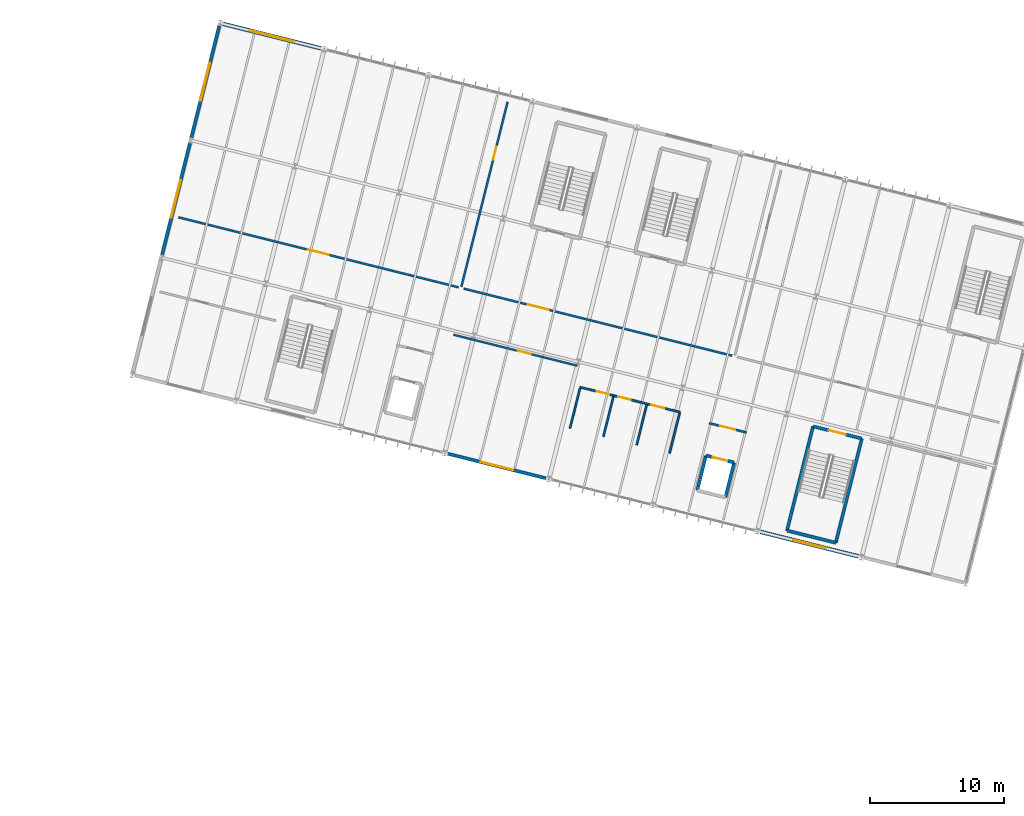
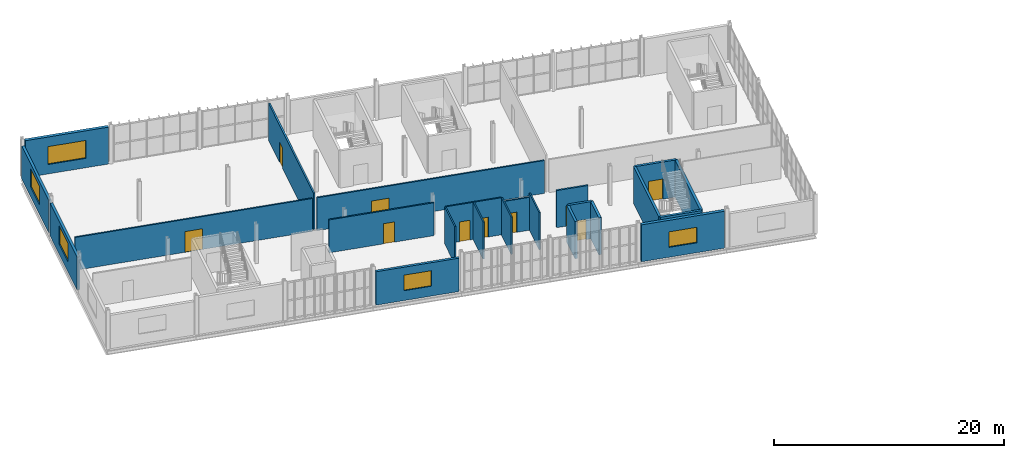
# One storey, part 46 of 61: 24 walls, 10 doors, 5 windows, 15 openings.
"""IFC4 building model written with IfcOpenShell, lengths in metres."""

from ifc_helpers import new_model, si_unit, derived_unit, direction, frame, frame_2d, origin, place, context, subcontext, project, spatial, rectangle, extrude, material, layer, layer_set, type_object, element, fill, save


model = new_model("IFC4")

# Units and contexts
model_context = context("Model", 3, precision=1e-05, world=origin(), true_north=direction((0.0, 1.0)))
body_context = subcontext(model_context, "Body", "Model", "MODEL_VIEW")
ifc_project = project(units=[si_unit("LENGTHUNIT", "METRE"), si_unit("AREAUNIT", "SQUARE_METRE"), si_unit("VOLUMEUNIT", "CUBIC_METRE"), si_unit("PLANEANGLEUNIT", "RADIAN"), si_unit("MASSUNIT", "GRAM", prefix="KILO"), si_unit("THERMODYNAMICTEMPERATUREUNIT", "KELVIN"), si_unit("TIMEUNIT", "SECOND"), derived_unit("THERMALTRANSMITTANCEUNIT", [(si_unit("MASSUNIT", "GRAM", prefix="KILO"), 1), (si_unit("THERMODYNAMICTEMPERATUREUNIT", "KELVIN"), -1), (si_unit("TIMEUNIT", "SECOND"), -3)])], contexts=[model_context])

# Site, building, storey
site_placement = place(None, origin())
site = spatial("IfcSite", under=ifc_project, at=site_placement, CompositionType="ELEMENT")
building_placement = place(site_placement, origin())
building = spatial("IfcBuilding", under=site, at=building_placement, Name="Cambertide Market Hall", CompositionType="ELEMENT")
storey_placement = place(building_placement, frame((0.0, 0.0, 9.89990234375)))
storey = spatial("IfcBuildingStorey", under=building, at=storey_placement, Name="L03", CompositionType="ELEMENT", Elevation=9.89990234375)

# Wall, opening, door
ifc_material_1 = material(Name="Autoclaved Aerated Concrete Blockwork M7.5", Category="masonry")
ifc_layer_1 = layer(ifc_material_1, 0.14990234375, Name="Culinary Classroom Acoustic Partition 150")
ifc_layer_set_1 = layer_set([ifc_layer_1], Name="Autoclaved Aerated Concrete Blockwork M7.5")
wall_type_1 = type_object("IfcWallType", Name="Culinary Classroom Acoustic Partition 150", PredefinedType="PARTITIONING", material=ifc_layer_set_1)
wall_1_placement = place(storey_placement, frame((111.448974609375, 111.73388671875, 0.0), z_axis=(0.0, 0.0, 1.0), x_axis=(0.970141164196, -0.242540968772, 0.0)))
wall_1 = element("IfcWall", 1, at=wall_1_placement, inside=storey, type_object=wall_type_1, Name="Level 3 Interior Wall IW-L03-V4C-1", PredefinedType="PARTITIONING", context=body_context, shape_type="SweptSolid", body=[
    extrude(rectangle(XDim=21.499755859375, YDim=0.14990234375, at=frame_2d((10.75, 0.0))), origin(), (0.0, 0.0, 1.0), 3.4951171875),
])
opening_1_placement = place(wall_1_placement, frame((9.949951171875, 0.0, 0.0)))
opening_1 = element("IfcOpeningElement", 2, at=opening_1_placement, cuts=wall_1, Name="Opening ID-01", PredefinedType="OPENING", context=body_context, shape_type="SweptSolid", body=[
    extrude(rectangle(XDim=1.60009765625, YDim=2.199951171875, at=frame_2d((0.800048828125, 1.10009765625))), frame((0.0, 0.0849609375, 0.0), z_axis=(0.0, -1.0, 0.0), x_axis=(1.0, 0.0, 0.0)), (0.0, 0.0, 1.0), 0.169921875),
])
ifc_material_2 = material(Name="Champagne Marine Anodized Aluminium 6063-T6 AA25", Category="aluminium")
door_type_1 = type_object("IfcDoorType", Name="Classroom & Hall Double Door 1600x2200", OperationType="DOUBLE_DOOR_SINGLE_SWING", PredefinedType="DOOR", material=ifc_material_2)
door_1_placement = place(opening_1_placement, origin())
door_1 = element("IfcDoor", 3, at=door_1_placement, inside=storey, type_object=door_type_1, Name="Level 3 Door IW-L03-V4C-1-DR1", OperationType="DOUBLE_DOOR_SINGLE_SWING", OverallHeight=2.199951171875, OverallWidth=1.60009765625, PredefinedType="DOOR", context=body_context, shape_type="SweptSolid", body=[
    extrude(rectangle(XDim=1.60009765625, YDim=2.199951171875, at=frame_2d((0.800048828125, 1.10009765625))), frame((0.0, 0.02490234375, 0.0), z_axis=(0.0, -1.0, 0.0), x_axis=(1.0, 0.0, 0.0)), (0.0, 0.0, 1.0), 0.050048828125),
])
fill(opening_1, door_1)

wall_2_placement = place(storey_placement, frame((132.695068359375, 106.42236328125, 0.0), z_axis=(0.0, 0.0, 1.0), x_axis=(0.970141105834, -0.242541202215, 0.0)))
wall_2 = element("IfcWall", 4, at=wall_2_placement, inside=storey, type_object=wall_type_1, Name="Level 3 Interior Wall IW-L03-V4C-2", PredefinedType="PARTITIONING", context=body_context, shape_type="SweptSolid", body=[
    extrude(rectangle(XDim=20.599853515625, YDim=0.14990234375, at=frame_2d((10.2998046875, 0.0))), origin(), (0.0, 0.0, 1.0), 3.4951171875),
])
opening_2_placement = place(wall_2_placement, frame((4.93994140625, 0.0, 0.0)))
opening_2 = element("IfcOpeningElement", 5, at=opening_2_placement, cuts=wall_2, Name="Opening ID-01", PredefinedType="OPENING", context=body_context, shape_type="SweptSolid", body=[
    extrude(rectangle(XDim=1.60009765625, YDim=2.199951171875, at=frame_2d((0.800048828125, 1.10009765625))), frame((0.0, 0.0849609375, 0.0), z_axis=(0.0, -1.0, 0.0), x_axis=(1.0, 0.0, 0.0)), (0.0, 0.0, 1.0), 0.169921875),
])
door_2_placement = place(opening_2_placement, origin())
door_2 = element("IfcDoor", 6, at=door_2_placement, inside=storey, type_object=door_type_1, Name="Level 3 Door IW-L03-V4C-2-DR1", OperationType="DOUBLE_DOOR_SINGLE_SWING", OverallHeight=2.199951171875, OverallWidth=1.60009765625, PredefinedType="DOOR", context=body_context, shape_type="SweptSolid", body=[
    extrude(rectangle(XDim=1.60009765625, YDim=2.199951171875, at=frame_2d((0.800048828125, 1.10009765625))), frame((0.0, 0.02490234375, 0.0), z_axis=(0.0, -1.0, 0.0), x_axis=(1.0, 0.0, 0.0)), (0.0, 0.0, 1.0), 0.050048828125),
])
fill(opening_2, door_2)

wall_3_placement = place(storey_placement, frame((132.520263671875, 106.548583984375, 0.0), z_axis=(0.0, 0.0, 1.0), x_axis=(0.24254371592, 0.970140477388, 0.0)))
wall_3 = element("IfcWall", 7, at=wall_3_placement, inside=storey, type_object=wall_type_1, Name="Level 3 Interior Wall IW-L03-V4DIV-22", PredefinedType="PARTITIONING", context=body_context, shape_type="SweptSolid", body=[
    extrude(rectangle(XDim=14.199951171875, YDim=0.14990234375, at=frame_2d((7.10009765625, 0.0))), origin(), (0.0, 0.0, 1.0), 3.940185546875),
])
opening_3_placement = place(wall_3_placement, frame((9.76806640625, 0.0, 0.0)))
opening_3 = element("IfcOpeningElement", 8, at=opening_3_placement, cuts=wall_3, Name="Opening ID-03", PredefinedType="OPENING", context=body_context, shape_type="SweptSolid", body=[
    extrude(rectangle(XDim=1.0, YDim=2.14990234375, at=frame_2d((0.5, 1.074951171875))), frame((0.0, 0.0849609375, 0.0), z_axis=(0.0, -1.0, 0.0), x_axis=(1.0, 0.0, 0.0)), (0.0, 0.0, 1.0), 0.169921875),
])
ifc_material_3 = material(Name="Champagne Marine Anodized Aluminium 6063-T6 AA25", Category="aluminium")
door_type_2 = type_object("IfcDoorType", Name="Accessible Room Single Door 1000x2150", OperationType="NOTDEFINED", PredefinedType="DOOR", material=ifc_material_3)
door_3_placement = place(opening_3_placement, origin())
door_3 = element("IfcDoor", 9, at=door_3_placement, inside=storey, type_object=door_type_2, Name="Level 3 Door IW-L03-V4DIV-22-DR1", OperationType="SINGLE_SWING_LEFT", OverallHeight=2.14990234375, OverallWidth=1.0, PredefinedType="DOOR", context=body_context, shape_type="SweptSolid", body=[
    extrude(rectangle(XDim=1.0, YDim=2.14990234375, at=frame_2d((0.5, 1.074951171875))), frame((0.0, 0.02490234375, 0.0), z_axis=(0.0, -1.0, 0.0), x_axis=(1.0, 0.0, 0.0)), (0.0, 0.0, 1.0), 0.050048828125),
])
fill(opening_3, door_3)

wall_4_placement = place(storey_placement, frame((131.938232421875, 102.983154296875, 0.0), z_axis=(0.0, 0.0, 1.0), x_axis=(0.970145523508, -0.242523531267, 0.0)))
wall_4 = element("IfcWall", 10, at=wall_4_placement, inside=storey, type_object=wall_type_1, Name="Level 3 Interior Wall IW-L03-V4S1", PredefinedType="PARTITIONING", context=body_context, shape_type="SweptSolid", body=[
    extrude(rectangle(XDim=9.5, YDim=0.14990234375, at=frame_2d((4.75, 0.0))), origin(), (0.0, 0.0, 1.0), 3.4951171875),
])
opening_4_placement = place(wall_4_placement, frame((4.929931640625, 0.0, 0.0)))
opening_4 = element("IfcOpeningElement", 11, at=opening_4_placement, cuts=wall_4, Name="Opening ID-03", PredefinedType="OPENING", context=body_context, shape_type="SweptSolid", body=[
    extrude(rectangle(XDim=1.0, YDim=2.14990234375, at=frame_2d((0.5, 1.074951171875))), frame((0.0, 0.0849609375, 0.0), z_axis=(0.0, -1.0, 0.0), x_axis=(1.0, 0.0, 0.0)), (0.0, 0.0, 1.0), 0.169921875),
])
door_4_placement = place(opening_4_placement, origin())
door_4 = element("IfcDoor", 12, at=door_4_placement, inside=storey, type_object=door_type_2, Name="Level 3 Door IW-L03-V4S1-DR1", OperationType="SINGLE_SWING_LEFT", OverallHeight=2.14990234375, OverallWidth=1.0, PredefinedType="DOOR", context=body_context, shape_type="SweptSolid", body=[
    extrude(rectangle(XDim=1.0, YDim=2.14990234375, at=frame_2d((0.5, 1.074951171875))), frame((0.0, 0.02490234375, 0.0), z_axis=(0.0, -1.0, 0.0), x_axis=(1.0, 0.0, 0.0)), (0.0, 0.0, 1.0), 0.050048828125),
])
fill(opening_4, door_4)

# Wall, opening, window
ifc_material_4 = material(Name="Autoclaved Aerated Concrete Blockwork M7.5", Category="masonry")
ifc_layer_2 = layer(ifc_material_4, 0.25, Name="Insulated AAC Exterior Infill Wall 250")
ifc_layer_set_2 = layer_set([ifc_layer_2], Name="Autoclaved Aerated Concrete Blockwork M7.5")
wall_type_2 = type_object("IfcWallType", Name="Insulated AAC Exterior Infill Wall 250", PredefinedType="SOLIDWALL", material=ifc_layer_set_2)
wall_5_placement = place(storey_placement, frame((138.811767578125, 92.297119140625, 0.0), z_axis=(0.0, 0.0, 1.0), x_axis=(-0.970146319544, 0.242520346931, 0.0)))
wall_5 = element("IfcWall", 13, at=wall_5_placement, inside=storey, type_object=wall_type_2, Name="Level 3 Exterior Wall EW-L03-V4S-4", PredefinedType="SOLIDWALL", context=body_context, shape_type="SweptSolid", body=[
    extrude(rectangle(XDim=7.52001953125, YDim=0.25, at=frame_2d((3.760009765625, 0.0))), origin(), (0.0, 0.0, 1.0), 3.545166015625),
])
opening_5_placement = place(wall_5_placement, frame((2.510009765625, 0.0, 1.050048828125)))
opening_5 = element("IfcOpeningElement", 14, at=opening_5_placement, cuts=wall_5, Name="Opening WN-09", PredefinedType="OPENING", context=body_context, shape_type="SweptSolid", body=[
    extrude(rectangle(XDim=2.5, YDim=1.64990234375, at=frame_2d((1.25, 0.824951171875))), frame((0.0, 0.135009765625, 0.0), z_axis=(0.0, -1.0, 0.0), x_axis=(1.0, 0.0, 0.0)), (0.0, 0.0, 1.0), 0.27001953125),
])
ifc_material_5 = material(Name="Low-E Laminated Insulated Glass", Category="glass")
window_type_1 = type_object("IfcWindowType", Name="Market Admin Office Window 2500x1650", PartitioningType="SINGLE_PANEL", PredefinedType="WINDOW", material=ifc_material_5)
window_1_placement = place(opening_5_placement, origin())
window_1 = element("IfcWindow", 15, at=window_1_placement, inside=storey, type_object=window_type_1, Name="Level 3 Window EW-L03-V4S-4-WN", OverallHeight=1.64990234375, OverallWidth=2.5, PartitioningType="SINGLE_PANEL", PredefinedType="WINDOW", context=body_context, shape_type="SweptSolid", body=[
    extrude(rectangle(XDim=2.5, YDim=1.64990234375, at=frame_2d((1.25, 0.824951171875))), frame((0.0, 0.030029296875, 0.0), z_axis=(0.0, -1.0, 0.0), x_axis=(1.0, 0.0, 0.0)), (0.0, 0.0, 1.0), 0.06005859375),
])
fill(opening_5, window_1)

wall_6_placement = place(storey_placement, frame((110.240966796875, 108.964111328125, 0.0), z_axis=(0.0, 0.0, 1.0), x_axis=(0.242535625036, 0.970142500145, 0.0)))
wall_6 = element("IfcWall", 16, at=wall_6_placement, inside=storey, type_object=wall_type_2, Name="Level 3 Exterior Wall EW-L03-V4W-2", PredefinedType="SOLIDWALL", context=body_context, shape_type="SweptSolid", body=[
    extrude(rectangle(XDim=8.52001953125, YDim=0.25, at=frame_2d((4.260009765625, 0.0))), origin(), (0.0, 0.0, 1.0), 3.4951171875),
])
opening_6_placement = place(wall_6_placement, frame((2.81005859375, 0.0, 1.050048828125)))
opening_6 = element("IfcOpeningElement", 17, at=opening_6_placement, cuts=wall_6, Name="Opening WN-07", PredefinedType="OPENING", context=body_context, shape_type="SweptSolid", body=[
    extrude(rectangle(XDim=2.89990234375, YDim=1.949951171875, at=frame_2d((1.449951171875, 0.97509765625))), frame((0.0, 0.135009765625, 0.0), z_axis=(0.0, -1.0, 0.0), x_axis=(1.0, 0.0, 0.0)), (0.0, 0.0, 1.0), 0.27001953125),
])
ifc_material_6 = material(Name="Low-E Laminated Insulated Glass", Category="glass")
window_type_2 = type_object("IfcWindowType", Name="Spice Hall Punched Window 2900x1950", PartitioningType="SINGLE_PANEL", PredefinedType="WINDOW", material=ifc_material_6)
window_2_placement = place(opening_6_placement, origin())
window_2 = element("IfcWindow", 18, at=window_2_placement, inside=storey, type_object=window_type_2, Name="Level 3 Window EW-L03-V4W-2-WN", OverallHeight=1.949951171875, OverallWidth=2.89990234375, PartitioningType="SINGLE_PANEL", PredefinedType="WINDOW", context=body_context, shape_type="SweptSolid", body=[
    extrude(rectangle(XDim=2.89990234375, YDim=1.949951171875, at=frame_2d((1.449951171875, 0.97509765625))), frame((0.0, 0.030029296875, 0.0), z_axis=(0.0, -1.0, 0.0), x_axis=(1.0, 0.0, 0.0)), (0.0, 0.0, 1.0), 0.06005859375),
])
fill(opening_6, window_2)

wall_7_placement = place(storey_placement, frame((112.423828125, 117.6953125, 0.0), z_axis=(0.0, 0.0, 1.0), x_axis=(0.242535625036, 0.970142500145, 0.0)))
wall_7 = element("IfcWall", 19, at=wall_7_placement, inside=storey, type_object=wall_type_2, Name="Level 3 Exterior Wall EW-L03-V4W-3", PredefinedType="SOLIDWALL", context=body_context, shape_type="SweptSolid", body=[
    extrude(rectangle(XDim=8.52001953125, YDim=0.25, at=frame_2d((4.260009765625, 0.0))), origin(), (0.0, 0.0, 1.0), 3.4951171875),
])
opening_7_placement = place(wall_7_placement, frame((2.81005859375, 0.0, 1.050048828125)))
opening_7 = element("IfcOpeningElement", 20, at=opening_7_placement, cuts=wall_7, Name="Opening WN-07", PredefinedType="OPENING", context=body_context, shape_type="SweptSolid", body=[
    extrude(rectangle(XDim=2.89990234375, YDim=1.949951171875, at=frame_2d((1.449951171875, 0.97509765625))), frame((0.0, 0.135009765625, 0.0), z_axis=(0.0, -1.0, 0.0), x_axis=(1.0, 0.0, 0.0)), (0.0, 0.0, 1.0), 0.27001953125),
])
window_3_placement = place(opening_7_placement, origin())
window_3 = element("IfcWindow", 21, at=window_3_placement, inside=storey, type_object=window_type_2, Name="Level 3 Window EW-L03-V4W-3-WN", OverallHeight=1.949951171875, OverallWidth=2.89990234375, PartitioningType="SINGLE_PANEL", PredefinedType="WINDOW", context=body_context, shape_type="SweptSolid", body=[
    extrude(rectangle(XDim=2.89990234375, YDim=1.949951171875, at=frame_2d((1.449951171875, 0.97509765625))), frame((0.0, 0.030029296875, 0.0), z_axis=(0.0, -1.0, 0.0), x_axis=(1.0, 0.0, 0.0)), (0.0, 0.0, 1.0), 0.06005859375),
])
fill(opening_7, window_3)

# Wall, opening, door
ifc_material_7 = material(Name="Autoclaved Aerated Concrete Blockwork M7.5", Category="masonry")
ifc_layer_3 = layer(ifc_material_7, 0.169921875, Name="Lift Lobby Fire Partition 170")
ifc_layer_set_3 = layer_set([ifc_layer_3], Name="Autoclaved Aerated Concrete Blockwork M7.5")
wall_type_3 = type_object("IfcWallType", Name="Lift Lobby Fire Partition 170", PredefinedType="PARTITIONING", material=ifc_layer_set_3)
wall_8_placement = place(storey_placement, frame((150.979736328125, 96.398193359375, 0.0), z_axis=(0.0, 0.0, 1.0), x_axis=(0.970147521275, -0.242515539634, 0.0)))
wall_8 = element("IfcWall", 22, at=wall_8_placement, inside=storey, type_object=wall_type_3, Name="Level 3 Interior Wall LLW-LP-04-L03", PredefinedType="PARTITIONING", context=body_context, shape_type="SweptSolid", body=[
    extrude(rectangle(XDim=2.860107421875, YDim=0.169921875, at=frame_2d((1.43017578125, 0.0))), origin(), (0.0, 0.0, 1.0), 3.940185546875),
])
opening_8_placement = place(wall_8_placement, frame((0.85498046875, 0.0, 0.0)))
opening_8 = element("IfcOpeningElement", 23, at=opening_8_placement, cuts=wall_8, Name="Opening KD-02", PredefinedType="OPENING", context=body_context, shape_type="SweptSolid", body=[
    extrude(rectangle(XDim=1.14990234375, YDim=2.14990234375, at=frame_2d((0.574951171875, 1.074951171875))), frame((0.0, 0.094970703125, 0.0), z_axis=(0.0, -1.0, 0.0), x_axis=(1.0, 0.0, 0.0)), (0.0, 0.0, 1.0), 0.18994140625),
])
ifc_material_8 = material(Name="Stainless Steel Grade 316", Category="metal")
door_type_3 = type_object("IfcDoorType", Name="Lift Lobby Smoke-Stop Door 1150x2150", OperationType="NOTDEFINED", PredefinedType="DOOR", material=ifc_material_8)
door_5_placement = place(opening_8_placement, origin())
door_5 = element("IfcDoor", 24, at=door_5_placement, inside=storey, type_object=door_type_3, Name="Level 3 Door LLW-LP-04-L03-DR1", OperationType="SINGLE_SWING_LEFT", OverallHeight=2.14990234375, OverallWidth=1.14990234375, PredefinedType="DOOR", context=body_context, shape_type="SweptSolid", body=[
    extrude(rectangle(XDim=1.14990234375, YDim=2.14990234375, at=frame_2d((0.574951171875, 1.074951171875))), frame((0.0, 0.02490234375, 0.0), z_axis=(0.0, -1.0, 0.0), x_axis=(1.0, 0.0, 0.0)), (0.0, 0.0, 1.0), 0.050048828125),
])
fill(opening_8, door_5)

ifc_material_9 = material(Name="Autoclaved Aerated Concrete Blockwork M7.5", Category="masonry")
ifc_layer_4 = layer(ifc_material_9, 0.139892578125, Name="Sanitary & Wet-Area Masonry Partition 140")
ifc_layer_set_4 = layer_set([ifc_layer_4], Name="Autoclaved Aerated Concrete Blockwork M7.5")
wall_type_4 = type_object("IfcWallType", Name="Sanitary & Wet-Area Masonry Partition 140", PredefinedType="PARTITIONING", material=ifc_layer_set_4)
wall_9_placement = place(storey_placement, frame((141.372802734375, 99.078369140625, 0.0), z_axis=(0.0, 0.0, 1.0), x_axis=(0.970148131734, -0.242513097571, 0.0)))
wall_9 = element("IfcWall", 25, at=wall_9_placement, inside=storey, type_object=wall_type_4, Name="Level 3 Interior Wall WCW-L03-L03B-F1", PredefinedType="PARTITIONING", context=body_context, shape_type="SweptSolid", body=[
    extrude(rectangle(XDim=2.550048828125, YDim=0.139892578125, at=frame_2d((1.27490234375, 0.0))), origin(), (0.0, 0.0, 1.0), 3.940185546875),
])
opening_9_placement = place(wall_9_placement, frame((1.280029296875, 0.0, 0.0)))
opening_9 = element("IfcOpeningElement", 26, at=opening_9_placement, cuts=wall_9, Name="Opening ID-04", PredefinedType="OPENING", context=body_context, shape_type="SweptSolid", body=[
    extrude(rectangle(XDim=0.949951171875, YDim=2.10009765625, at=frame_2d((0.47509765625, 1.050048828125))), frame((0.0, 0.079833984375, 0.0), z_axis=(0.0, -1.0, 0.0), x_axis=(1.0, 0.0, 0.0)), (0.0, 0.0, 1.0), 0.159912109375),
])
ifc_material_10 = material(Name="Champagne Marine Anodized Aluminium 6063-T6 AA25", Category="aluminium")
door_type_4 = type_object("IfcDoorType", Name="WC & Office Single Door 950x2100", OperationType="NOTDEFINED", PredefinedType="DOOR", material=ifc_material_10)
door_6_placement = place(opening_9_placement, origin())
door_6 = element("IfcDoor", 27, at=door_6_placement, inside=storey, type_object=door_type_4, Name="Level 3 Door WCW-L03-L03B-F1-DR1", OperationType="SINGLE_SWING_RIGHT", OverallHeight=2.10009765625, OverallWidth=0.949951171875, PredefinedType="DOOR", context=body_context, shape_type="SweptSolid", body=[
    extrude(rectangle(XDim=0.949951171875, YDim=2.10009765625, at=frame_2d((0.47509765625, 1.050048828125))), frame((0.0, 0.02490234375, 0.0), z_axis=(0.0, -1.0, 0.0), x_axis=(1.0, 0.0, 0.0)), (0.0, 0.0, 1.0), 0.050048828125),
])
fill(opening_9, door_6)

wall_10_placement = place(storey_placement, frame((143.895263671875, 98.44775390625, 0.0), z_axis=(0.0, 0.0, 1.0), x_axis=(0.970153988463, -0.242489667139, 0.0)))
wall_10 = element("IfcWall", 28, at=wall_10_placement, inside=storey, type_object=wall_type_4, Name="Level 3 Interior Wall WCW-L03-L03B-F2", PredefinedType="PARTITIONING", context=body_context, shape_type="SweptSolid", body=[
    extrude(rectangle(XDim=2.5, YDim=0.139892578125, at=frame_2d((1.25, 0.0))), origin(), (0.0, 0.0, 1.0), 3.940185546875),
])
opening_10_placement = place(wall_10_placement, frame((0.320068359375, 0.0, 0.0)))
opening_10 = element("IfcOpeningElement", 29, at=opening_10_placement, cuts=wall_10, Name="Opening ID-04", PredefinedType="OPENING", context=body_context, shape_type="SweptSolid", body=[
    extrude(rectangle(XDim=0.949951171875, YDim=2.10009765625, at=frame_2d((0.47509765625, 1.050048828125))), frame((0.0, 0.079833984375, 0.0), z_axis=(0.0, -1.0, 0.0), x_axis=(1.0, 0.0, 0.0)), (0.0, 0.0, 1.0), 0.159912109375),
])
door_7_placement = place(opening_10_placement, origin())
door_7 = element("IfcDoor", 30, at=door_7_placement, inside=storey, type_object=door_type_4, Name="Level 3 Door WCW-L03-L03B-F2-DR1", OperationType="SINGLE_SWING_LEFT", OverallHeight=2.10009765625, OverallWidth=0.949951171875, PredefinedType="DOOR", context=body_context, shape_type="SweptSolid", body=[
    extrude(rectangle(XDim=0.949951171875, YDim=2.10009765625, at=frame_2d((0.47509765625, 1.050048828125))), frame((0.0, 0.02490234375, 0.0), z_axis=(0.0, -1.0, 0.0), x_axis=(1.0, 0.0, 0.0)), (0.0, 0.0, 1.0), 0.050048828125),
])
fill(opening_10, door_7)

wall_11_placement = place(storey_placement, frame((146.369140625, 97.829345703125, 0.0), z_axis=(0.0, 0.0, 1.0), x_axis=(0.970131009923, -0.242581581301, 0.0)))
wall_11 = element("IfcWall", 31, at=wall_11_placement, inside=storey, type_object=wall_type_4, Name="Level 3 Interior Wall WCW-L03-L03B-F3", PredefinedType="PARTITIONING", context=body_context, shape_type="SweptSolid", body=[
    extrude(rectangle(XDim=2.5, YDim=0.139892578125, at=frame_2d((1.25, 0.0))), origin(), (0.0, 0.0, 1.0), 3.4951171875),
])
opening_11_placement = place(wall_11_placement, frame((0.320068359375, 0.0, 0.0)))
opening_11 = element("IfcOpeningElement", 32, at=opening_11_placement, cuts=wall_11, Name="Opening ID-05", PredefinedType="OPENING", context=body_context, shape_type="SweptSolid", body=[
    extrude(rectangle(XDim=0.97998046875, YDim=2.14990234375, at=frame_2d((0.489990234375, 1.074951171875))), frame((0.0, 0.079833984375, 0.0), z_axis=(0.0, -1.0, 0.0), x_axis=(1.0, 0.0, 0.0)), (0.0, 0.0, 1.0), 0.159912109375),
])
ifc_material_11 = material(Name="Champagne Marine Anodized Aluminium 6063-T6 AA25", Category="aluminium")
door_type_5 = type_object("IfcDoorType", Name="Accessible WC Outward Door 980x2150", OperationType="NOTDEFINED", PredefinedType="DOOR", material=ifc_material_11)
door_8_placement = place(opening_11_placement, origin())
door_8 = element("IfcDoor", 33, at=door_8_placement, inside=storey, type_object=door_type_5, Name="Level 3 Door WCW-L03-L03B-F3-DR1", OperationType="SINGLE_SWING_RIGHT", OverallHeight=2.14990234375, OverallWidth=0.97998046875, PredefinedType="DOOR", context=body_context, shape_type="SweptSolid", body=[
    extrude(rectangle(XDim=0.97998046875, YDim=2.14990234375, at=frame_2d((0.489990234375, 1.074951171875))), frame((0.0, 0.02490234375, 0.0), z_axis=(0.0, -1.0, 0.0), x_axis=(1.0, 0.0, 0.0)), (0.0, 0.0, 1.0), 0.050048828125),
])
fill(opening_11, door_8)

# Walls
wall_12_placement = place(storey_placement, frame((143.102294921875, 95.399169921875, 0.0), z_axis=(0.0, 0.0, 1.0), x_axis=(0.242498561862, 0.970151765187, 0.0)))
element("IfcWall", 34, at=wall_12_placement, inside=storey, type_object=wall_type_4, Name="Level 3 Interior Wall WCW-L03-L03B-D1", PredefinedType="PARTITIONING", context=body_context, shape_type="SweptSolid", body=[
    extrude(rectangle(XDim=3.099853515625, YDim=0.139892578125, at=frame_2d((1.5498046875, 0.0))), origin(), (0.0, 0.0, 1.0), 3.940185546875),
])
wall_13_placement = place(storey_placement, frame((145.575927734375, 94.780517578125, 0.0), z_axis=(0.0, 0.0, 1.0), x_axis=(0.242554154721, 0.970137867536, 0.0)))
element("IfcWall", 35, at=wall_13_placement, inside=storey, type_object=wall_type_4, Name="Level 3 Interior Wall WCW-L03-L03B-D2", PredefinedType="PARTITIONING", context=body_context, shape_type="SweptSolid", body=[
    extrude(rectangle(XDim=3.10009765625, YDim=0.139892578125, at=frame_2d((1.550048828125, 0.0))), origin(), (0.0, 0.0, 1.0), 3.940185546875),
])
wall_14_placement = place(storey_placement, frame((140.60888671875, 96.0224609375, 0.0), z_axis=(0.0, 0.0, 1.0), x_axis=(0.242572687149, 0.970133233865, 0.0)))
element("IfcWall", 36, at=wall_14_placement, inside=storey, type_object=wall_type_4, Name="Level 3 Interior Wall WCW-L03-L03B-L", PredefinedType="PARTITIONING", context=body_context, shape_type="SweptSolid", body=[
    extrude(rectangle(XDim=3.099853515625, YDim=0.139892578125, at=frame_2d((1.5498046875, 0.0))), origin(), (0.0, 0.0, 1.0), 3.940185546875),
])
wall_15_placement = place(storey_placement, frame((148.030517578125, 94.1669921875, 0.0), z_axis=(0.0, 0.0, 1.0), x_axis=(0.242554154721, 0.970137867536, 0.0)))
element("IfcWall", 37, at=wall_15_placement, inside=storey, type_object=wall_type_4, Name="Level 3 Interior Wall WCW-L03-L03B-R", PredefinedType="PARTITIONING", context=body_context, shape_type="SweptSolid", body=[
    extrude(rectangle(XDim=3.10009765625, YDim=0.139892578125, at=frame_2d((1.550048828125, 0.0))), origin(), (0.0, 0.0, 1.0), 3.940185546875),
])

# Wall, opening, door
ifc_material_12 = material(Name="Concrete B35", Category="concrete")
ifc_layer_5 = layer(ifc_material_12, 0.239990234375, Name="Stair & Lift Core Shaft Wall 240")
ifc_layer_set_5 = layer_set([ifc_layer_5], Name="Concrete B35")
wall_type_5 = type_object("IfcWallType", Name="Stair & Lift Core Shaft Wall 240", PredefinedType="SOLIDWALL", material=ifc_layer_set_5)
wall_16_placement = place(storey_placement, frame((158.7080078125, 96.161865234375, 0.0), z_axis=(0.0, 0.0, 1.0), x_axis=(0.970150158722, -0.242504988675, 0.0)))
wall_16 = element("IfcWall", 38, at=wall_16_placement, inside=storey, type_object=wall_type_5, Name="Level 3 Interior Wall SHW-ST-08A-L03-NEAR", PredefinedType="SOLIDWALL", context=body_context, shape_type="SweptSolid", body=[
    extrude(rectangle(XDim=3.750244140625, YDim=0.239990234375, at=frame_2d((1.875, 0.0))), origin(), (0.0, 0.0, 1.0), 3.945068359375),
])
opening_12_placement = place(wall_16_placement, frame((1.22509765625, 0.0, 0.0)))
opening_12 = element("IfcOpeningElement", 39, at=opening_12_placement, cuts=wall_16, Name="Opening FD-01", PredefinedType="OPENING", context=body_context, shape_type="SweptSolid", body=[
    extrude(rectangle(XDim=1.300048828125, YDim=2.14990234375, at=frame_2d((0.64990234375, 1.074951171875))), frame((0.0, 0.1298828125, 0.0), z_axis=(0.0, -1.0, 0.0), x_axis=(1.0, 0.0, 0.0)), (0.0, 0.0, 1.0), 0.260009765625),
])
ifc_material_13 = material(Name="Powder-Coated Galvanized Sheet Metal", Category="metal")
door_type_6 = type_object("IfcDoorType", Name="Stair Core Fire Door 1300x2150", OperationType="NOTDEFINED", PredefinedType="DOOR", material=ifc_material_13)
door_9_placement = place(opening_12_placement, origin())
door_9 = element("IfcDoor", 40, at=door_9_placement, inside=storey, type_object=door_type_6, Name="Level 3 Door SHW-ST-08A-L03-NEAR-DR1", OperationType="SINGLE_SWING_RIGHT", OverallHeight=2.14990234375, OverallWidth=1.300048828125, PredefinedType="DOOR", context=body_context, shape_type="SweptSolid", body=[
    extrude(rectangle(XDim=1.300048828125, YDim=2.14990234375, at=frame_2d((0.64990234375, 1.074951171875))), frame((0.0, 0.02490234375, 0.0), z_axis=(0.0, -1.0, 0.0), x_axis=(1.0, 0.0, 0.0)), (0.0, 0.0, 1.0), 0.050048828125),
])
fill(opening_12, door_9)

# Walls
wall_17_placement = place(storey_placement, frame((156.767822265625, 88.400634765625, 0.0), z_axis=(0.0, 0.0, 1.0), x_axis=(0.242521263911, 0.970146090314, 0.0)))
element("IfcWall", 41, at=wall_17_placement, inside=storey, type_object=wall_type_5, Name="Level 3 Interior Wall SHW-ST-08A-L03-L", PredefinedType="SOLIDWALL", context=body_context, shape_type="SweptSolid", body=[
    extrude(rectangle(XDim=8.0, YDim=0.239990234375, at=frame_2d((4.0, 0.0))), origin(), (0.0, 0.0, 1.0), 3.945068359375),
])
wall_18_placement = place(storey_placement, frame((160.406005859375, 87.4912109375, 0.0), z_axis=(0.0, 0.0, 1.0), x_axis=(-0.970150158722, 0.242504988675, 0.0)))
element("IfcWall", 42, at=wall_18_placement, inside=storey, type_object=wall_type_5, Name="Level 3 Interior Wall SHW-ST-08A-L03-FAR", PredefinedType="SOLIDWALL", context=body_context, shape_type="SweptSolid", body=[
    extrude(rectangle(XDim=3.750244140625, YDim=0.239990234375, at=frame_2d((1.875, 0.0))), origin(), (0.0, 0.0, 1.0), 3.945068359375),
])
wall_19_placement = place(storey_placement, frame((162.34619140625, 95.25244140625, 0.0), z_axis=(0.0, 0.0, 1.0), x_axis=(-0.242521263911, -0.970146090314, 0.0)))
element("IfcWall", 43, at=wall_19_placement, inside=storey, type_object=wall_type_5, Name="Level 3 Interior Wall SHW-ST-08A-L03-R", PredefinedType="SOLIDWALL", context=body_context, shape_type="SweptSolid", body=[
    extrude(rectangle(XDim=8.0, YDim=0.239990234375, at=frame_2d((4.0, 0.0))), origin(), (0.0, 0.0, 1.0), 3.945068359375),
])

# Wall, opening, door
wall_20_placement = place(storey_placement, frame((150.7373046875, 93.985107421875, 0.0), z_axis=(0.0, 0.0, 1.0), x_axis=(0.970135850962, -0.242562220222, 0.0)))
wall_20 = element("IfcWall", 44, at=wall_20_placement, inside=storey, type_object=wall_type_5, Name="Level 3 Interior Wall LSH-LP-04-L03-N", PredefinedType="SOLIDWALL", context=body_context, shape_type="SweptSolid", body=[
    extrude(rectangle(XDim=2.159912109375, YDim=0.239990234375, at=frame_2d((1.080078125, 0.0))), origin(), (0.0, 0.0, 1.0), 3.940185546875),
])
opening_13_placement = place(wall_20_placement, frame((0.530029296875, 0.0, 0.0)))
opening_13 = element("IfcOpeningElement", 45, at=opening_13_placement, cuts=wall_20, Name="Opening LD-01", PredefinedType="OPENING", context=body_context, shape_type="SweptSolid", body=[
    extrude(rectangle(XDim=1.10009765625, YDim=2.14990234375, at=frame_2d((0.550048828125, 1.074951171875))), frame((0.0, 0.1298828125, 0.0), z_axis=(0.0, -1.0, 0.0), x_axis=(1.0, 0.0, 0.0)), (0.0, 0.0, 1.0), 0.260009765625),
])
ifc_material_14 = material(Name="Stainless Steel Grade 316", Category="metal")
door_type_7 = type_object("IfcDoorType", Name="Passenger Lift Sliding Landing Door 1100x2150", OperationType="DOUBLE_DOOR_SLIDING", PredefinedType="DOOR", material=ifc_material_14)
door_10_placement = place(opening_13_placement, origin())
door_10 = element("IfcDoor", 46, at=door_10_placement, inside=storey, type_object=door_type_7, Name="Level 3 Door LSH-LP-04-L03-N-DR1", OperationType="DOUBLE_DOOR_SLIDING", OverallHeight=2.14990234375, OverallWidth=1.10009765625, PredefinedType="DOOR", context=body_context, shape_type="SweptSolid", body=[
    extrude(rectangle(XDim=1.10009765625, YDim=2.14990234375, at=frame_2d((0.550048828125, 1.074951171875))), frame((0.0, 0.02490234375, 0.0), z_axis=(0.0, -1.0, 0.0), x_axis=(1.0, 0.0, 0.0)), (0.0, 0.0, 1.0), 0.050048828125),
])
fill(opening_13, door_10)

# Walls
for number, where, z_axis, x_axis, name in (
    (47, (150.092041015625, 91.404541015625, 0.0), (0.0, 0.0, 1.0), (0.242578816146, 0.970131701346, 0.0), "Level 3 Interior Wall LSH-LP-04-L03-W"),
    (48, (152.832763671875, 93.461181640625, 0.0), (0.0, 0.0, 1.0), (-0.242578816146, -0.970131701346, 0.0), "Level 3 Interior Wall LSH-LP-04-L03-E"),
):
    element("IfcWall", number, at=place(storey_placement, frame(where, z_axis=z_axis, x_axis=x_axis)), inside=storey, type_object=wall_type_5, Name=name, PredefinedType="SOLIDWALL", context=body_context, shape_type="SweptSolid", body=[
        extrude(rectangle(XDim=2.659912109375, YDim=0.239990234375, at=frame_2d((1.330078125, 0.0))), origin(), (0.0, 0.0, 1.0), 3.940185546875),
    ])

# Wall, opening, window
ifc_material_15 = material(Name="Concrete B35", Category="concrete")
ifc_layer_6 = layer(ifc_material_15, 0.300048828125, Name="Structural Facade Shear Wall 300")
ifc_layer_set_6 = layer_set([ifc_layer_6], Name="Concrete B35")
wall_type_6 = type_object("IfcWallType", Name="Structural Facade Shear Wall 300", PredefinedType="SHEAR", material=ifc_layer_set_6)
wall_21_placement = place(storey_placement, frame((114.78125, 126.1357421875, 0.0), z_axis=(0.0, 0.0, 1.0), x_axis=(0.970138680536, -0.242550902961, 0.0)))
wall_21 = element("IfcWall", 49, at=wall_21_placement, inside=storey, type_object=wall_type_6, Name="Level 3 Exterior Wall EW-L03-V4N-1", PredefinedType="SHEAR", context=body_context, shape_type="SweptSolid", body=[
    extrude(rectangle(XDim=7.52001953125, YDim=0.300048828125, at=frame_2d((3.760009765625, 0.0))), origin(), (0.0, 0.0, 1.0), 3.920166015625),
])
opening_14_placement = place(wall_21_placement, frame((2.06005859375, 0.0, 1.0)))
opening_14 = element("IfcOpeningElement", 50, at=opening_14_placement, cuts=wall_21, Name="Opening WN-08", PredefinedType="OPENING", context=body_context, shape_type="SweptSolid", body=[
    extrude(rectangle(XDim=3.39990234375, YDim=1.89990234375, at=frame_2d((1.699951171875, 0.949951171875))), frame((0.0, 0.159912109375, 0.0), z_axis=(0.0, -1.0, 0.0), x_axis=(1.0, 0.0, 0.0)), (0.0, 0.0, 1.0), 0.320068359375),
])
ifc_material_16 = material(Name="Low-E Laminated Insulated Glass", Category="glass")
window_type_3 = type_object("IfcWindowType", Name="Classroom Daylight Window 3400x1900", PartitioningType="SINGLE_PANEL", PredefinedType="WINDOW", material=ifc_material_16)
window_4_placement = place(opening_14_placement, origin())
window_4 = element("IfcWindow", 51, at=window_4_placement, inside=storey, type_object=window_type_3, Name="Level 3 Window EW-L03-V4N-1-WN", OverallHeight=1.89990234375, OverallWidth=3.39990234375, PartitioningType="SINGLE_PANEL", PredefinedType="WINDOW", context=body_context, shape_type="SweptSolid", body=[
    extrude(rectangle(XDim=3.39990234375, YDim=1.89990234375, at=frame_2d((1.699951171875, 0.949951171875))), frame((0.0, 0.030029296875, 0.0), z_axis=(0.0, -1.0, 0.0), x_axis=(1.0, 0.0, 0.0)), (0.0, 0.0, 1.0), 0.06005859375),
])
fill(opening_14, window_4)

wall_22_placement = place(storey_placement, frame((162.09521484375, 86.476318359375, 0.0), z_axis=(0.0, 0.0, 1.0), x_axis=(-0.970148228972, 0.242512708578, 0.0)))
wall_22 = element("IfcWall", 52, at=wall_22_placement, inside=storey, type_object=wall_type_6, Name="Level 3 Exterior Wall EW-L03-V4S-7", PredefinedType="SHEAR", context=body_context, shape_type="SweptSolid", body=[
    extrude(rectangle(XDim=7.520263671875, YDim=0.300048828125, at=frame_2d((3.76025390625, 0.0))), origin(), (0.0, 0.0, 1.0), 3.920166015625),
])
opening_15_placement = place(wall_22_placement, frame((2.510009765625, 0.0, 1.050048828125)))
opening_15 = element("IfcOpeningElement", 53, at=opening_15_placement, cuts=wall_22, Name="Opening WN-09", PredefinedType="OPENING", context=body_context, shape_type="SweptSolid", body=[
    extrude(rectangle(XDim=2.5, YDim=1.64990234375, at=frame_2d((1.25, 0.824951171875))), frame((0.0, 0.159912109375, 0.0), z_axis=(0.0, -1.0, 0.0), x_axis=(1.0, 0.0, 0.0)), (0.0, 0.0, 1.0), 0.320068359375),
])
window_5_placement = place(opening_15_placement, origin())
window_5 = element("IfcWindow", 54, at=window_5_placement, inside=storey, type_object=window_type_1, Name="Level 3 Window EW-L03-V4S-7-WN", OverallHeight=1.64990234375, OverallWidth=2.5, PartitioningType="SINGLE_PANEL", PredefinedType="WINDOW", context=body_context, shape_type="SweptSolid", body=[
    extrude(rectangle(XDim=2.5, YDim=1.64990234375, at=frame_2d((1.25, 0.824951171875))), frame((0.0, 0.030029296875, 0.0), z_axis=(0.0, -1.0, 0.0), x_axis=(1.0, 0.0, 0.0)), (0.0, 0.0, 1.0), 0.06005859375),
])
fill(opening_15, window_5)

save(model, "model.ifc")
